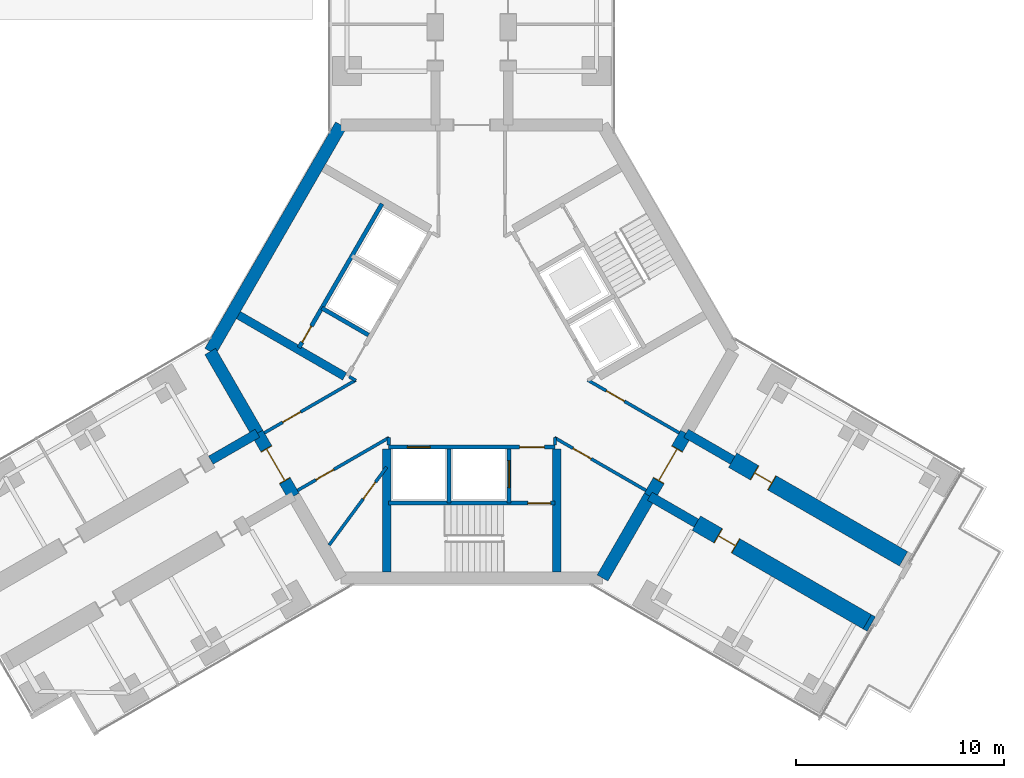
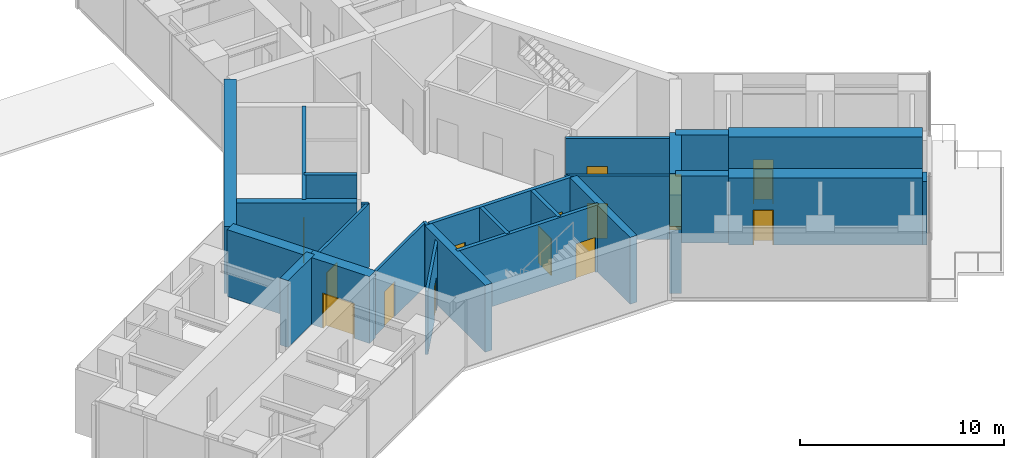
# One storey, part 18 of 22: 28 walls, 14 doors, 14 openings.
"""IFC4 building model written with IfcOpenShell, lengths in metres."""

from ifc_helpers import new_model, si_unit, direction, frame, frame_2d, origin, place, context, subcontext, project, spatial, rectangle, extrude, material, layer, layer_set, type_object, element, fill, save


model = new_model("IFC4")

# Units and contexts
model_context = context("Model", 3, precision=1e-05, world=origin(), true_north=direction((0.0, 1.0)))
body_context = subcontext(model_context, "Body", "Model", "MODEL_VIEW")
ifc_project = project(units=[si_unit("LENGTHUNIT", "METRE"), si_unit("AREAUNIT", "SQUARE_METRE"), si_unit("VOLUMEUNIT", "CUBIC_METRE"), si_unit("PLANEANGLEUNIT", "RADIAN"), si_unit("MASSUNIT", "GRAM", prefix="KILO")], contexts=[model_context])

# Site, building, storey
site_placement = place(None, origin())
site = spatial("IfcSite", under=ifc_project, at=site_placement, CompositionType="ELEMENT")
building_placement = place(site_placement, origin())
building = spatial("IfcBuilding", under=site, at=building_placement, Name="Upepo Twin Towers", CompositionType="ELEMENT")
storey_placement = place(building_placement, frame((0.0, 0.0, 97.5)))
storey = spatial("IfcBuildingStorey", under=building, at=storey_placement, Name="L23", CompositionType="ELEMENT", Elevation=97.5)

# Walls
ifc_material_1 = material(Name="Dense concrete blockwork", Category="masonry")
ifc_layer_1 = layer(ifc_material_1, 0.800048828125)
ifc_layer_set_1 = layer_set([ifc_layer_1], Name="Buttress closer 800, blockwork with fire-stopping to the curtain wall")
wall_type_1 = type_object("IfcWallType", Name="Buttress closer 800, blockwork with fire-stopping to the curtain wall", PredefinedType="PARTITIONING", material=ifc_layer_set_1)
wall_1_placement = place(storey_placement, frame((77.543701171875, -31.015625, 0.0), z_axis=(0.0, 0.0, 1.0), x_axis=(0.866366273901, -0.499409130319, 0.0)))
element("IfcWall", 1, at=wall_1_placement, inside=storey, type_object=wall_type_1, Name="T2 L23 wing C buttress closer R", PredefinedType="PARTITIONING", context=body_context, shape_type="SweptSolid", body=[
    extrude(rectangle(XDim=0.224853515625, YDim=0.800048828125, at=frame_2d((0.1123046875, 0.0))), origin(), (0.0, 0.0, 1.0), 3.800048828125),
])
ifc_material_2 = material(Name="Concrete C60/75", Category="concrete")
ifc_layer_2 = layer(ifc_material_2, 0.449951171875)
ifc_layer_set_2 = layer_set([ifc_layer_2], Name="Concrete C60/75")
wall_type_2 = type_object("IfcWallType", Name="Buttress wall 450 RC", PredefinedType="SHEAR", material=ifc_layer_set_2)
for number, where, z_axis, x_axis, name in (
    (2, (48.17822265625, -21.938720703125, 0.0), (0.0, 0.0, 1.0), (-0.866072649678, -0.499918158782, 0.0), "T2 wing B buttress wall R"),
    (3, (68.82177734375, -21.938720703125, 0.0), (0.0, 0.0, 1.0), (0.866072649678, -0.499918158782, 0.0), "T2 wing C buttress wall L"),
    (4, (67.07177734375, -24.9697265625, 0.0), (0.0, 0.0, 1.0), (0.866031863473, -0.499988811324, 0.0), "T2 wing C buttress wall R"),
):
    element("IfcWall", number, at=place(storey_placement, frame(where, z_axis=z_axis, x_axis=x_axis)), inside=storey, type_object=wall_type_2, Name=name, PredefinedType="SHEAR", context=body_context, shape_type="SweptSolid", body=[
        extrude(rectangle(XDim=2.591796875, YDim=0.449951171875, at=frame_2d((1.2958984375, 0.0))), origin(), (0.0, 0.0, 1.0), 4.0),
    ])

# Wall, opening, door
ifc_material_3 = material(Name="Concrete C60/75", Category="concrete")
ifc_layer_3 = layer(ifc_material_3, 0.800048828125)
ifc_layer_set_3 = layer_set([ifc_layer_3], Name="Concrete C60/75")
wall_type_3 = type_object("IfcWallType", Name="Buttress wall 800 RC", PredefinedType="SHEAR", material=ifc_layer_set_3)
wall_2_placement = place(storey_placement, frame((71.06640625, -23.234375, 0.0), z_axis=(0.0, 0.0, 1.0), x_axis=(0.86602681393, -0.499997557548, 0.0)))
wall_2 = element("IfcWall", 5, at=wall_2_placement, inside=storey, type_object=wall_type_3, Name="T2 wing C buttress wall L part 2", PredefinedType="SHEAR", context=body_context, shape_type="SweptSolid", body=[
    extrude(rectangle(XDim=9.5, YDim=0.800048828125, at=frame_2d((4.75, 0.0))), origin(), (0.0, 0.0, 1.0), 4.0),
])
opening_1_placement = place(wall_2_placement, frame((1.199951171875, 0.0, 0.0)))
opening_1 = element("IfcOpeningElement", 6, at=opening_1_placement, cuts=wall_2, Name="Opening D15", PredefinedType="OPENING", context=body_context, shape_type="SweptSolid", body=[
    extrude(rectangle(XDim=1.0, YDim=2.10009765625, at=frame_2d((0.5, 1.050048828125))), frame((0.0, 0.409912109375, 0.0), z_axis=(0.0, -1.0, 0.0), x_axis=(1.0, 0.0, 0.0)), (0.0, 0.0, 1.0), 0.820068359375),
])
ifc_material_4 = material(Name="Timber doorset", Category="wood")
door_type_1 = type_object("IfcDoorType", Name="Glazed door 1000 FD30", OperationType="SINGLE_SWING_LEFT", PredefinedType="DOOR", material=ifc_material_4)
door_1_placement = place(opening_1_placement, origin())
door_1 = element("IfcDoor", 7, at=door_1_placement, inside=storey, type_object=door_type_1, Name="T2 L23 faculty office door", OperationType="SINGLE_SWING_LEFT", OverallHeight=2.10009765625, OverallWidth=1.0, PredefinedType="DOOR", context=body_context, shape_type="SweptSolid", body=[
    extrude(rectangle(XDim=0.92, YDim=2.06009765625, at=frame_2d((0.5, 1.030029296875))), frame((0.0, 0.02490234375, 0.0), z_axis=(0.0, -1.0, 0.0), x_axis=(1.0, 0.0, 0.0)), (0.0, 0.0, 1.0), 0.050048828125),
    extrude(rectangle(XDim=0.04, YDim=2.10009765625, at=frame_2d((0.02001953125, 1.050048828125))), frame((0.0, 0.39990234375, 0.0), z_axis=(0.0, -1.0, 0.0), x_axis=(1.0, 0.0, 0.0)), (0.0, 0.0, 1.0), 0.799560546875),
    extrude(rectangle(XDim=0.04, YDim=2.10009765625, at=frame_2d((0.97998046875, 1.050048828125))), frame((0.0, 0.39990234375, 0.0), z_axis=(0.0, -1.0, 0.0), x_axis=(1.0, 0.0, 0.0)), (0.0, 0.0, 1.0), 0.799560546875),
    extrude(rectangle(XDim=0.92, YDim=0.04, at=frame_2d((0.5, 2.080078125))), frame((0.0, 0.39990234375, 0.0), z_axis=(0.0, -1.0, 0.0), x_axis=(1.0, 0.0, 0.0)), (0.0, 0.0, 1.0), 0.799560546875),
])
fill(opening_1, door_1)

wall_3_placement = place(storey_placement, frame((69.31640625, -26.265625, 0.0), z_axis=(0.0, 0.0, 1.0), x_axis=(0.86602681393, -0.499997557548, 0.0)))
wall_3 = element("IfcWall", 8, at=wall_3_placement, inside=storey, type_object=wall_type_3, Name="T2 wing C buttress wall R part 2", PredefinedType="SHEAR", context=body_context, shape_type="SweptSolid", body=[
    extrude(rectangle(XDim=9.5, YDim=0.800048828125, at=frame_2d((4.75, 0.0))), origin(), (0.0, 0.0, 1.0), 4.0),
])
opening_2_placement = place(wall_3_placement, frame((1.199951171875, 0.0, 0.0)))
opening_2 = element("IfcOpeningElement", 9, at=opening_2_placement, cuts=wall_3, Name="Opening D15", PredefinedType="OPENING", context=body_context, shape_type="SweptSolid", body=[
    extrude(rectangle(XDim=1.0, YDim=2.10009765625, at=frame_2d((0.5, 1.050048828125))), frame((0.0, 0.409912109375, 0.0), z_axis=(0.0, -1.0, 0.0), x_axis=(1.0, 0.0, 0.0)), (0.0, 0.0, 1.0), 0.820068359375),
])
door_2_placement = place(opening_2_placement, origin())
door_2 = element("IfcDoor", 10, at=door_2_placement, inside=storey, type_object=door_type_1, Name="T2 L23 faculty office door", OperationType="SINGLE_SWING_LEFT", OverallHeight=2.10009765625, OverallWidth=1.0, PredefinedType="DOOR", context=body_context, shape_type="SweptSolid", body=[
    extrude(rectangle(XDim=0.92, YDim=2.06009765625, at=frame_2d((0.5, 1.030029296875))), frame((0.0, 0.02490234375, 0.0), z_axis=(0.0, -1.0, 0.0), x_axis=(1.0, 0.0, 0.0)), (0.0, 0.0, 1.0), 0.050048828125),
    extrude(rectangle(XDim=0.04, YDim=2.10009765625, at=frame_2d((0.02001953125, 1.050048828125))), frame((0.0, 0.39990234375, 0.0), z_axis=(0.0, -1.0, 0.0), x_axis=(1.0, 0.0, 0.0)), (0.0, 0.0, 1.0), 0.799560546875),
    extrude(rectangle(XDim=0.04, YDim=2.10009765625, at=frame_2d((0.97998046875, 1.050048828125))), frame((0.0, 0.39990234375, 0.0), z_axis=(0.0, -1.0, 0.0), x_axis=(1.0, 0.0, 0.0)), (0.0, 0.0, 1.0), 0.799560546875),
    extrude(rectangle(XDim=0.92, YDim=0.04, at=frame_2d((0.5, 2.080078125))), frame((0.0, 0.39990234375, 0.0), z_axis=(0.0, -1.0, 0.0), x_axis=(1.0, 0.0, 0.0)), (0.0, 0.0, 1.0), 0.799560546875),
])
fill(opening_2, door_2)

# Walls
ifc_material_5 = material(Name="Concrete C60/75", Category="concrete")
ifc_layer_4 = layer(ifc_material_5, 0.60009765625)
ifc_layer_set_4 = layer_set([ifc_layer_4], Name="Concrete C60/75")
wall_type_4 = type_object("IfcWallType", Name="Core wall 600 RC", PredefinedType="SHEAR", material=ifc_layer_set_4)
wall_4_placement = place(storey_placement, frame((52.2021484375, -7.091552734375, 0.0), z_axis=(0.0, 0.0, 1.0), x_axis=(-0.500005998175, -0.866021940709, 0.0)))
element("IfcWall", 11, at=wall_4_placement, inside=storey, type_object=wall_type_4, Name="T2 core wall 060", PredefinedType="SHEAR", context=body_context, shape_type="SweptSolid", body=[
    extrude(rectangle(XDim=12.595947265625, YDim=0.60009765625, at=frame_2d((6.2978515625, 0.0))), origin(), (0.0, 0.0, 1.0), 4.0),
])
wall_5_placement = place(storey_placement, frame((45.904052734375, -18.0, 0.0), z_axis=(0.0, 0.0, 1.0), x_axis=(0.500024481964, -0.866011268655, 0.0)))
element("IfcWall", 12, at=wall_5_placement, inside=storey, type_object=wall_type_4, Name="T2 core wall 120 R", PredefinedType="SHEAR", context=body_context, shape_type="SweptSolid", body=[
    extrude(rectangle(XDim=4.548095703125, YDim=0.60009765625, at=frame_2d((2.27392578125, 0.0))), origin(), (0.0, 0.0, 1.0), 4.0),
])

# Wall, opening, door
wall_6_placement = place(storey_placement, frame((48.17822265625, -21.938720703125, 0.0), z_axis=(0.0, 0.0, 1.0), x_axis=(0.500010275428, -0.866019471182, 0.0)))
wall_6 = element("IfcWall", 13, at=wall_6_placement, inside=storey, type_object=wall_type_4, Name="T2 core wall 120", PredefinedType="SHEAR", context=body_context, shape_type="SweptSolid", body=[
    extrude(rectangle(XDim=3.5, YDim=0.60009765625, at=frame_2d((1.75, 0.0))), origin(), (0.0, 0.0, 1.0), 4.0),
])
opening_3_placement = place(wall_6_placement, frame((0.85009765625, 0.0, 0.0)))
opening_3 = element("IfcOpeningElement", 14, at=opening_3_placement, cuts=wall_6, Name="Opening D2", PredefinedType="OPENING", context=body_context, shape_type="SweptSolid", body=[
    extrude(rectangle(XDim=1.800048828125, YDim=2.10009765625, at=frame_2d((0.89990234375, 1.050048828125))), frame((0.0, 0.31005859375, 0.0), z_axis=(0.0, -1.0, 0.0), x_axis=(1.0, 0.0, 0.0)), (0.0, 0.0, 1.0), 0.6201171875),
])
ifc_material_6 = material(Name="Timber doorset", Category="wood")
door_type_2 = type_object("IfcDoorType", Name="Corridor double door 1800 FD60", OperationType="DOUBLE_DOOR_DOUBLE_SWING", PredefinedType="DOOR", material=ifc_material_6)
door_3_placement = place(opening_3_placement, origin())
door_3 = element("IfcDoor", 15, at=door_3_placement, inside=storey, type_object=door_type_2, Name="T2 L23 wing B corridor door", OperationType="DOUBLE_DOOR_DOUBLE_SWING", OverallHeight=2.10009765625, OverallWidth=1.800048828125, PredefinedType="DOOR", context=body_context, shape_type="SweptSolid", body=[
    extrude(rectangle(XDim=1.720048828125, YDim=2.06009765625, at=frame_2d((0.89990234375, 1.030029296875))), frame((0.0, 0.02490234375, 0.0), z_axis=(0.0, -1.0, 0.0), x_axis=(1.0, 0.0, 0.0)), (0.0, 0.0, 1.0), 0.050048828125),
    extrude(rectangle(XDim=0.04, YDim=2.10009765625, at=frame_2d((0.02001953125, 1.050048828125))), frame((0.0, 0.2998046875, 0.0), z_axis=(0.0, -1.0, 0.0), x_axis=(1.0, 0.0, 0.0)), (0.0, 0.0, 1.0), 0.599609375),
    extrude(rectangle(XDim=0.04, YDim=2.10009765625, at=frame_2d((1.780029296875, 1.050048828125))), frame((0.0, 0.2998046875, 0.0), z_axis=(0.0, -1.0, 0.0), x_axis=(1.0, 0.0, 0.0)), (0.0, 0.0, 1.0), 0.599609375),
    extrude(rectangle(XDim=1.720048828125, YDim=0.04, at=frame_2d((0.89990234375, 2.080078125))), frame((0.0, 0.2998046875, 0.0), z_axis=(0.0, -1.0, 0.0), x_axis=(1.0, 0.0, 0.0)), (0.0, 0.0, 1.0), 0.599609375),
])
fill(opening_3, door_3)

# Wall
wall_7_placement = place(storey_placement, frame((64.7978515625, -28.908447265625, 0.0), z_axis=(0.0, 0.0, 1.0), x_axis=(0.499984222037, 0.866034513004, 0.0)))
element("IfcWall", 16, at=wall_7_placement, inside=storey, type_object=wall_type_4, Name="T2 core wall 240 R", PredefinedType="SHEAR", context=body_context, shape_type="SweptSolid", body=[
    extrude(rectangle(XDim=4.548095703125, YDim=0.60009765625, at=frame_2d((2.27392578125, 0.0))), origin(), (0.0, 0.0, 1.0), 4.0),
])

# Wall, opening, door
wall_8_placement = place(storey_placement, frame((67.07177734375, -24.9697265625, 0.0), z_axis=(0.0, 0.0, 1.0), x_axis=(0.500010275428, 0.866019471182, 0.0)))
wall_8 = element("IfcWall", 17, at=wall_8_placement, inside=storey, type_object=wall_type_4, Name="T2 core wall 240", PredefinedType="SHEAR", context=body_context, shape_type="SweptSolid", body=[
    extrude(rectangle(XDim=3.5, YDim=0.60009765625, at=frame_2d((1.75, 0.0))), origin(), (0.0, 0.0, 1.0), 4.0),
])
opening_4_placement = place(wall_8_placement, frame((0.85009765625, 0.0, 0.0)))
opening_4 = element("IfcOpeningElement", 18, at=opening_4_placement, cuts=wall_8, Name="Opening D2", PredefinedType="OPENING", context=body_context, shape_type="SweptSolid", body=[
    extrude(rectangle(XDim=1.800048828125, YDim=2.10009765625, at=frame_2d((0.89990234375, 1.050048828125))), frame((0.0, 0.31005859375, 0.0), z_axis=(0.0, -1.0, 0.0), x_axis=(1.0, 0.0, 0.0)), (0.0, 0.0, 1.0), 0.6201171875),
])
door_4_placement = place(opening_4_placement, origin())
door_4 = element("IfcDoor", 19, at=door_4_placement, inside=storey, type_object=door_type_2, Name="T2 L23 wing C corridor door", OperationType="DOUBLE_DOOR_DOUBLE_SWING", OverallHeight=2.10009765625, OverallWidth=1.800048828125, PredefinedType="DOOR", context=body_context, shape_type="SweptSolid", body=[
    extrude(rectangle(XDim=1.720048828125, YDim=2.06009765625, at=frame_2d((0.89990234375, 1.030029296875))), frame((0.0, 0.02490234375, 0.0), z_axis=(0.0, -1.0, 0.0), x_axis=(1.0, 0.0, 0.0)), (0.0, 0.0, 1.0), 0.050048828125),
    extrude(rectangle(XDim=0.04, YDim=2.10009765625, at=frame_2d((0.02001953125, 1.050048828125))), frame((0.0, 0.2998046875, 0.0), z_axis=(0.0, -1.0, 0.0), x_axis=(1.0, 0.0, 0.0)), (0.0, 0.0, 1.0), 0.599609375),
    extrude(rectangle(XDim=0.04, YDim=2.10009765625, at=frame_2d((1.780029296875, 1.050048828125))), frame((0.0, 0.2998046875, 0.0), z_axis=(0.0, -1.0, 0.0), x_axis=(1.0, 0.0, 0.0)), (0.0, 0.0, 1.0), 0.599609375),
    extrude(rectangle(XDim=1.720048828125, YDim=0.04, at=frame_2d((0.89990234375, 2.080078125))), frame((0.0, 0.2998046875, 0.0), z_axis=(0.0, -1.0, 0.0), x_axis=(1.0, 0.0, 0.0)), (0.0, 0.0, 1.0), 0.599609375),
])
fill(opening_4, door_4)

# Wall
ifc_material_7 = material(Name="Concrete C40/50", Category="concrete")
ifc_layer_5 = layer(ifc_material_7, 0.199951171875)
ifc_layer_set_5 = layer_set([ifc_layer_5], Name="Concrete C40/50")
wall_type_5 = type_object("IfcWallType", Name="Shaft wall 200 RC", PredefinedType="SHEAR", material=ifc_layer_set_5)
wall_9_placement = place(storey_placement, frame((53.52978515625, -17.208740234375, 0.0), z_axis=(0.0, 0.0, 1.0), x_axis=(-0.866062058628, 0.499936506574, 0.0)))
element("IfcWall", 20, at=wall_9_placement, inside=storey, type_object=wall_type_5, Name="T2 core W60 lobby wall", PredefinedType="SHEAR", context=body_context, shape_type="SweptSolid", body=[
    extrude(rectangle(XDim=2.599853515625, YDim=0.199951171875, at=frame_2d((1.2998046875, 0.0))), origin(), (0.0, 0.0, 1.0), 4.0),
])

# Wall, opening, door
wall_10_placement = place(storey_placement, frame((54.177978515625, -10.885986328125, 0.0), z_axis=(0.0, 0.0, 1.0), x_axis=(-0.49999894854, -0.866026010844, 0.0)))
wall_10 = element("IfcWall", 21, at=wall_10_placement, inside=storey, type_object=wall_type_5, Name="T2 core W60 stair wall", PredefinedType="SHEAR", context=body_context, shape_type="SweptSolid", body=[
    extrude(rectangle(XDim=8.0, YDim=0.199951171875, at=frame_2d((4.0, 0.0))), origin(), (0.0, 0.0, 1.0), 4.0),
])
opening_5_placement = place(wall_10_placement, frame((6.800048828125, 0.0, 0.0)))
opening_5 = element("IfcOpeningElement", 22, at=opening_5_placement, cuts=wall_10, Name="Opening D9", PredefinedType="OPENING", context=body_context, shape_type="SweptSolid", body=[
    extrude(rectangle(XDim=0.89990234375, YDim=2.10009765625, at=frame_2d((0.449951171875, 1.050048828125))), frame((0.0, 0.10986328125, 0.0), z_axis=(0.0, -1.0, 0.0), x_axis=(1.0, 0.0, 0.0)), (0.0, 0.0, 1.0), 0.219970703125),
])
ifc_material_8 = material(Name="Timber doorset", Category="wood")
door_type_3 = type_object("IfcDoorType", Name="Riser door 900 FD60", OperationType="SINGLE_SWING_LEFT", PredefinedType="DOOR", material=ifc_material_8)
door_5_placement = place(opening_5_placement, origin())
door_5 = element("IfcDoor", 23, at=door_5_placement, inside=storey, type_object=door_type_3, Name="T2 L23 riser door", OperationType="SINGLE_SWING_RIGHT", OverallHeight=2.10009765625, OverallWidth=0.89990234375, PredefinedType="DOOR", context=body_context, shape_type="SweptSolid", body=[
    extrude(rectangle(XDim=0.89990234375, YDim=2.10009765625, at=frame_2d((0.449951171875, 1.050048828125))), frame((0.0, 0.02490234375, 0.0), z_axis=(0.0, -1.0, 0.0), x_axis=(1.0, 0.0, 0.0)), (0.0, 0.0, 1.0), 0.050048828125),
])
fill(opening_5, door_5)

# Wall, openings, doors
wall_11_placement = place(storey_placement, frame((54.5, -22.60009765625, 0.0), z_axis=(0.0, 0.0, 1.0), x_axis=(1.0, 0.0, 0.0)))
wall_11 = element("IfcWall", 24, at=wall_11_placement, inside=storey, type_object=wall_type_5, Name="T2 core W180 front wall", PredefinedType="SHEAR", context=body_context, shape_type="SweptSolid", body=[
    extrude(rectangle(XDim=8.0, YDim=0.199951171875, at=frame_2d((4.0, 0.0))), origin(), (0.0, 0.0, 1.0), 4.0),
])
opening_6_placement = place(wall_11_placement, frame((6.300048828125, 0.0, 0.0)))
opening_6 = element("IfcOpeningElement", 25, at=opening_6_placement, cuts=wall_11, Name="Opening D4", PredefinedType="OPENING", context=body_context, shape_type="SweptSolid", body=[
    extrude(rectangle(XDim=1.199951171875, YDim=2.10009765625, at=frame_2d((0.60009765625, 1.050048828125))), frame((0.0, 0.10986328125, 0.0), z_axis=(0.0, -1.0, 0.0), x_axis=(1.0, 0.0, 0.0)), (0.0, 0.0, 1.0), 0.219970703125),
])
opening_7_placement = place(wall_11_placement, frame((0.89990234375, 0.0, 0.0)))
opening_7 = element("IfcOpeningElement", 26, at=opening_7_placement, cuts=wall_11, Name="Opening LD1", PredefinedType="OPENING", context=body_context, shape_type="SweptSolid", body=[
    extrude(rectangle(XDim=1.10009765625, YDim=2.199951171875, at=frame_2d((0.550048828125, 1.10009765625))), frame((0.0, 0.10986328125, 0.0), z_axis=(0.0, -1.0, 0.0), x_axis=(1.0, 0.0, 0.0)), (0.0, 0.0, 1.0), 0.219970703125),
])
ifc_material_9 = material(Name="Steel doorset", Category="steel")
door_type_4 = type_object("IfcDoorType", Name="Lift landing door 1100", OperationType="DOUBLE_DOOR_SLIDING", PredefinedType="DOOR", material=ifc_material_9)
door_6_placement = place(opening_7_placement, origin())
door_6 = element("IfcDoor", 27, at=door_6_placement, inside=storey, type_object=door_type_4, Name="T2 L23 lift SV1 landing door", OperationType="DOUBLE_DOOR_SLIDING", OverallHeight=2.199951171875, OverallWidth=1.10009765625, PredefinedType="DOOR", context=body_context, shape_type="SweptSolid", body=[
    extrude(rectangle(XDim=1.10009765625, YDim=2.199951171875, at=frame_2d((0.550048828125, 1.10009765625))), frame((0.0, 0.02490234375, 0.0), z_axis=(0.0, -1.0, 0.0), x_axis=(1.0, 0.0, 0.0)), (0.0, 0.0, 1.0), 0.050048828125),
])
fill(opening_7, door_6)
ifc_material_10 = material(Name="Timber doorset", Category="wood")
door_type_5 = type_object("IfcDoorType", Name="Lobby door 1200 FD60", OperationType="SINGLE_SWING_LEFT", PredefinedType="DOOR", material=ifc_material_10)
door_7_placement = place(opening_6_placement, origin())
door_7 = element("IfcDoor", 28, at=door_7_placement, inside=storey, type_object=door_type_5, Name="T2 L23 W180 lobby door", OperationType="SINGLE_SWING_RIGHT", OverallHeight=2.10009765625, OverallWidth=1.199951171875, PredefinedType="DOOR", context=body_context, shape_type="SweptSolid", body=[
    extrude(rectangle(XDim=1.199951171875, YDim=2.10009765625, at=frame_2d((0.60009765625, 1.050048828125))), frame((0.0, 0.02490234375, 0.0), z_axis=(0.0, -1.0, 0.0), x_axis=(1.0, 0.0, 0.0)), (0.0, 0.0, 1.0), 0.050048828125),
])
fill(opening_6, door_7)

# Wall
wall_12_placement = place(storey_placement, frame((57.39990234375, -22.699951171875, 0.0), z_axis=(0.0, 0.0, 1.0), x_axis=(0.0, -1.0, 0.0)))
element("IfcWall", 29, at=wall_12_placement, inside=storey, type_object=wall_type_5, Name="T2 core W180 shaft divider", PredefinedType="SHEAR", context=body_context, shape_type="SweptSolid", body=[
    extrude(rectangle(XDim=2.60009765625, YDim=0.199951171875, at=frame_2d((1.300048828125, 0.0))), origin(), (0.0, 0.0, 1.0), 4.0),
])

# Wall, opening, door
wall_13_placement = place(storey_placement, frame((60.300048828125, -22.699951171875, 0.0), z_axis=(0.0, 0.0, 1.0), x_axis=(0.0, -1.0, 0.0)))
wall_13 = element("IfcWall", 30, at=wall_13_placement, inside=storey, type_object=wall_type_5, Name="T2 core W180 lobby wall", PredefinedType="SHEAR", context=body_context, shape_type="SweptSolid", body=[
    extrude(rectangle(XDim=2.60009765625, YDim=0.199951171875, at=frame_2d((1.300048828125, 0.0))), origin(), (0.0, 0.0, 1.0), 4.0),
])
opening_8_placement = place(wall_13_placement, frame((0.550048828125, 0.0, 0.0)))
opening_8 = element("IfcOpeningElement", 31, at=opening_8_placement, cuts=wall_13, Name="Opening LD2", PredefinedType="OPENING", context=body_context, shape_type="SweptSolid", body=[
    extrude(rectangle(XDim=1.300048828125, YDim=2.199951171875, at=frame_2d((0.64990234375, 1.10009765625))), frame((0.0, 0.10986328125, 0.0), z_axis=(0.0, -1.0, 0.0), x_axis=(1.0, 0.0, 0.0)), (0.0, 0.0, 1.0), 0.219970703125),
])
ifc_material_11 = material(Name="Steel doorset", Category="steel")
door_type_6 = type_object("IfcDoorType", Name="Firefighting lift landing door 1300", OperationType="DOUBLE_DOOR_SLIDING", PredefinedType="DOOR", material=ifc_material_11)
door_8_placement = place(opening_8_placement, origin())
door_8 = element("IfcDoor", 32, at=door_8_placement, inside=storey, type_object=door_type_6, Name="T2 L23 firefighting lift landing door", OperationType="DOUBLE_DOOR_SLIDING", OverallHeight=2.199951171875, OverallWidth=1.300048828125, PredefinedType="DOOR", context=body_context, shape_type="SweptSolid", body=[
    extrude(rectangle(XDim=1.300048828125, YDim=2.199951171875, at=frame_2d((0.64990234375, 1.10009765625))), frame((0.0, 0.02490234375, 0.0), z_axis=(0.0, -1.0, 0.0), x_axis=(1.0, 0.0, 0.0)), (0.0, 0.0, 1.0), 0.050048828125),
])
fill(opening_8, door_8)

wall_14_placement = place(storey_placement, frame((54.5, -25.300048828125, 0.0), z_axis=(0.0, 0.0, 1.0), x_axis=(1.0, 0.0, 0.0)))
wall_14 = element("IfcWall", 33, at=wall_14_placement, inside=storey, type_object=wall_type_5, Name="T2 core W180 stair wall", PredefinedType="SHEAR", context=body_context, shape_type="SweptSolid", body=[
    extrude(rectangle(XDim=8.0, YDim=0.199951171875, at=frame_2d((4.0, 0.0))), origin(), (0.0, 0.0, 1.0), 4.0),
])
opening_9_placement = place(wall_14_placement, frame((6.699951171875, 0.0, 0.0)))
opening_9 = element("IfcOpeningElement", 34, at=opening_9_placement, cuts=wall_14, Name="Opening D3", PredefinedType="OPENING", context=body_context, shape_type="SweptSolid", body=[
    extrude(rectangle(XDim=1.10009765625, YDim=2.10009765625, at=frame_2d((0.550048828125, 1.050048828125))), frame((0.0, 0.10986328125, 0.0), z_axis=(0.0, -1.0, 0.0), x_axis=(1.0, 0.0, 0.0)), (0.0, 0.0, 1.0), 0.219970703125),
])
ifc_material_12 = material(Name="Timber doorset", Category="wood")
door_type_7 = type_object("IfcDoorType", Name="Stair door 1100 FD60", OperationType="SINGLE_SWING_LEFT", PredefinedType="DOOR", material=ifc_material_12)
door_9_placement = place(opening_9_placement, origin())
door_9 = element("IfcDoor", 35, at=door_9_placement, inside=storey, type_object=door_type_7, Name="T2 L23 stair door", OperationType="SINGLE_SWING_RIGHT", OverallHeight=2.10009765625, OverallWidth=1.10009765625, PredefinedType="DOOR", context=body_context, shape_type="SweptSolid", body=[
    extrude(rectangle(XDim=1.10009765625, YDim=2.10009765625, at=frame_2d((0.550048828125, 1.050048828125))), frame((0.0, 0.02490234375, 0.0), z_axis=(0.0, -1.0, 0.0), x_axis=(1.0, 0.0, 0.0)), (0.0, 0.0, 1.0), 0.050048828125),
])
fill(opening_9, door_9)

# Walls
ifc_material_13 = material(Name="Concrete C40/50", Category="concrete")
ifc_layer_6 = layer(ifc_material_13, 0.39990234375)
ifc_layer_set_6 = layer_set([ifc_layer_6], Name="Concrete C40/50")
wall_type_6 = type_object("IfcWallType", Name="Shaft wall 400 RC", PredefinedType="SHEAR", material=ifc_layer_set_6)
wall_15_placement = place(storey_placement, frame((52.379638671875, -19.20068359375, 0.0), z_axis=(0.0, 0.0, 1.0), x_axis=(-0.866027317282, 0.49999668571, 0.0)))
element("IfcWall", 36, at=wall_15_placement, inside=storey, type_object=wall_type_6, Name="T2 core W60 side wall N", PredefinedType="SHEAR", context=body_context, shape_type="SweptSolid", body=[
    extrude(rectangle(XDim=5.908203125, YDim=0.39990234375, at=frame_2d((2.9541015625, 0.0))), origin(), (0.0, 0.0, 1.0), 4.0),
])
for number, where, z_axis, x_axis, name in (
    (37, (62.60009765625, -22.699951171875, 0.0), (0.0, 0.0, 1.0), (0.0, -1.0, 0.0), "T2 core W180 side wall N"),
    (38, (54.39990234375, -22.699951171875, 0.0), (0.0, 0.0, 1.0), (0.0, -1.0, 0.0), "T2 core W180 side wall S"),
):
    element("IfcWall", number, at=place(storey_placement, frame(where, z_axis=z_axis, x_axis=x_axis)), inside=storey, type_object=wall_type_6, Name=name, PredefinedType="SHEAR", context=body_context, shape_type="SweptSolid", body=[
        extrude(rectangle(XDim=5.908447265625, YDim=0.39990234375, at=frame_2d((2.9541015625, 0.0))), origin(), (0.0, 0.0, 1.0), 4.0),
    ])
ifc_material_14 = material(Name="Gypsum board on steel studs", Category="steel")
ifc_layer_7 = layer(ifc_material_14, 0.14990234375)
ifc_layer_set_7 = layer_set([ifc_layer_7], Name="Teaching partition 150 acoustic")
wall_type_7 = type_object("IfcWallType", Name="Teaching partition 150 acoustic", PredefinedType="PARTITIONING", material=ifc_layer_set_7)
wall_16_placement = place(storey_placement, frame((54.5, -22.510009765625, 0.0), z_axis=(0.0, 0.0, 1.0), x_axis=(0.0, 1.0, 0.0)))
element("IfcWall", 39, at=wall_16_placement, inside=storey, type_object=wall_type_7, Name="T2 core room partition 1", PredefinedType="PARTITIONING", context=body_context, shape_type="SweptSolid", body=[
    extrude(rectangle(XDim=0.373046875, YDim=0.14990234375, at=frame_2d((0.1865234375, 0.0))), origin(), (0.0, 0.0, 1.0), 3.800048828125),
])

# Wall, opening, door
wall_17_placement = place(storey_placement, frame((54.517333984375, -22.14697265625, 0.0), z_axis=(0.0, 0.0, 1.0), x_axis=(-0.866029209911, -0.499993407537, 0.0)))
wall_17 = element("IfcWall", 40, at=wall_17_placement, inside=storey, type_object=wall_type_7, Name="T2 core room partition 2", PredefinedType="PARTITIONING", context=body_context, shape_type="SweptSolid", body=[
    extrude(rectangle(XDim=5.095703125, YDim=0.14990234375, at=frame_2d((2.5478515625, 0.0))), origin(), (0.0, 0.0, 1.0), 3.800048828125),
])
opening_10_placement = place(wall_17_placement, frame((3.072998046875, 0.0, 0.0)))
opening_10 = element("IfcOpeningElement", 41, at=opening_10_placement, cuts=wall_17, Name="Opening D1", PredefinedType="OPENING", context=body_context, shape_type="SweptSolid", body=[
    extrude(rectangle(XDim=1.0, YDim=2.10009765625, at=frame_2d((0.5, 1.050048828125))), frame((0.0, 0.0849609375, 0.0), z_axis=(0.0, -1.0, 0.0), x_axis=(1.0, 0.0, 0.0)), (0.0, 0.0, 1.0), 0.169921875),
])
ifc_material_15 = material(Name="Timber doorset", Category="wood")
door_type_8 = type_object("IfcDoorType", Name="Room door 1000 FD30", OperationType="SINGLE_SWING_LEFT", PredefinedType="DOOR", material=ifc_material_15)
door_10_placement = place(opening_10_placement, origin())
door_10 = element("IfcDoor", 42, at=door_10_placement, inside=storey, type_object=door_type_8, Name="T2 L23 core room door K2", OperationType="SINGLE_SWING_RIGHT", OverallHeight=2.10009765625, OverallWidth=1.0, PredefinedType="DOOR", context=body_context, shape_type="SweptSolid", body=[
    extrude(rectangle(XDim=1.0, YDim=2.10009765625, at=frame_2d((0.5, 1.050048828125))), frame((0.0, 0.02490234375, 0.0), z_axis=(0.0, -1.0, 0.0), x_axis=(1.0, 0.0, 0.0)), (0.0, 0.0, 1.0), 0.050048828125),
])
fill(opening_10, door_10)

wall_18_placement = place(storey_placement, frame((48.50439453125, -21.923583984375, 0.0), z_axis=(0.0, 0.0, 1.0), x_axis=(0.865996484538, 0.500050086259, 0.0)))
wall_18 = element("IfcWall", 43, at=wall_18_placement, inside=storey, type_object=wall_type_7, Name="T2 core room partition 3", PredefinedType="PARTITIONING", context=body_context, shape_type="SweptSolid", body=[
    extrude(rectangle(XDim=5.095703125, YDim=0.14990234375, at=frame_2d((2.5478515625, 0.0))), origin(), (0.0, 0.0, 1.0), 3.800048828125),
])
opening_11_placement = place(wall_18_placement, frame((1.022705078125, 0.0, 0.0)))
opening_11 = element("IfcOpeningElement", 44, at=opening_11_placement, cuts=wall_18, Name="Opening D1", PredefinedType="OPENING", context=body_context, shape_type="SweptSolid", body=[
    extrude(rectangle(XDim=1.0, YDim=2.10009765625, at=frame_2d((0.5, 1.050048828125))), frame((0.0, 0.0849609375, 0.0), z_axis=(0.0, -1.0, 0.0), x_axis=(1.0, 0.0, 0.0)), (0.0, 0.0, 1.0), 0.169921875),
])
door_11_placement = place(opening_11_placement, origin())
door_11 = element("IfcDoor", 45, at=door_11_placement, inside=storey, type_object=door_type_8, Name="T2 L23 core room door K1", OperationType="SINGLE_SWING_LEFT", OverallHeight=2.10009765625, OverallWidth=1.0, PredefinedType="DOOR", context=body_context, shape_type="SweptSolid", body=[
    extrude(rectangle(XDim=1.0, YDim=2.10009765625, at=frame_2d((0.5, 1.050048828125))), frame((0.0, 0.02490234375, 0.0), z_axis=(0.0, -1.0, 0.0), x_axis=(1.0, 0.0, 0.0)), (0.0, 0.0, 1.0), 0.050048828125),
])
fill(opening_11, door_11)

# Wall
wall_19_placement = place(storey_placement, frame((52.917236328125, -19.3955078125, 0.0), z_axis=(0.0, 0.0, 1.0), x_axis=(-0.865978465477, 0.500081290722, 0.0)))
element("IfcWall", 46, at=wall_19_placement, inside=storey, type_object=wall_type_7, Name="T2 core room partition 4", PredefinedType="PARTITIONING", context=body_context, shape_type="SweptSolid", body=[
    extrude(rectangle(XDim=0.373046875, YDim=0.14990234375, at=frame_2d((0.1865234375, 0.0))), origin(), (0.0, 0.0, 1.0), 3.800048828125),
])

# Wall, opening, door
wall_20_placement = place(storey_placement, frame((64.082763671875, -19.37548828125, 0.0), z_axis=(0.0, 0.0, 1.0), x_axis=(0.865996484538, -0.500050086259, 0.0)))
wall_20 = element("IfcWall", 47, at=wall_20_placement, inside=storey, type_object=wall_type_7, Name="T2 core room partition 10", PredefinedType="PARTITIONING", context=body_context, shape_type="SweptSolid", body=[
    extrude(rectangle(XDim=5.095703125, YDim=0.14990234375, at=frame_2d((2.5478515625, 0.0))), origin(), (0.0, 0.0, 1.0), 3.800048828125),
])
opening_12_placement = place(wall_20_placement, frame((1.04296875, 0.0, 0.0)))
opening_12 = element("IfcOpeningElement", 48, at=opening_12_placement, cuts=wall_20, Name="Opening D1", PredefinedType="OPENING", context=body_context, shape_type="SweptSolid", body=[
    extrude(rectangle(XDim=1.0, YDim=2.10009765625, at=frame_2d((0.5, 1.050048828125))), frame((0.0, 0.0849609375, 0.0), z_axis=(0.0, -1.0, 0.0), x_axis=(1.0, 0.0, 0.0)), (0.0, 0.0, 1.0), 0.169921875),
])
door_12_placement = place(opening_12_placement, origin())
door_12 = element("IfcDoor", 49, at=door_12_placement, inside=storey, type_object=door_type_8, Name="T2 L23 core room door K5", OperationType="SINGLE_SWING_LEFT", OverallHeight=2.10009765625, OverallWidth=1.0, PredefinedType="DOOR", context=body_context, shape_type="SweptSolid", body=[
    extrude(rectangle(XDim=1.0, YDim=2.10009765625, at=frame_2d((0.5, 1.050048828125))), frame((0.0, 0.02490234375, 0.0), z_axis=(0.0, -1.0, 0.0), x_axis=(1.0, 0.0, 0.0)), (0.0, 0.0, 1.0), 0.050048828125),
])
fill(opening_12, door_12)

wall_21_placement = place(storey_placement, frame((66.895751953125, -24.69482421875, 0.0), z_axis=(0.0, 0.0, 1.0), x_axis=(-0.866029209911, 0.499993407537, 0.0)))
wall_21 = element("IfcWall", 50, at=wall_21_placement, inside=storey, type_object=wall_type_7, Name="T2 core room partition 11", PredefinedType="PARTITIONING", context=body_context, shape_type="SweptSolid", body=[
    extrude(rectangle(XDim=5.095703125, YDim=0.14990234375, at=frame_2d((2.5478515625, 0.0))), origin(), (0.0, 0.0, 1.0), 3.800048828125),
])
opening_13_placement = place(wall_21_placement, frame((3.052978515625, 0.0, 0.0)))
opening_13 = element("IfcOpeningElement", 51, at=opening_13_placement, cuts=wall_21, Name="Opening D1", PredefinedType="OPENING", context=body_context, shape_type="SweptSolid", body=[
    extrude(rectangle(XDim=1.0, YDim=2.10009765625, at=frame_2d((0.5, 1.050048828125))), frame((0.0, 0.0849609375, 0.0), z_axis=(0.0, -1.0, 0.0), x_axis=(1.0, 0.0, 0.0)), (0.0, 0.0, 1.0), 0.169921875),
])
door_13_placement = place(opening_13_placement, origin())
door_13 = element("IfcDoor", 52, at=door_13_placement, inside=storey, type_object=door_type_8, Name="T2 L23 core room door K4", OperationType="SINGLE_SWING_RIGHT", OverallHeight=2.10009765625, OverallWidth=1.0, PredefinedType="DOOR", context=body_context, shape_type="SweptSolid", body=[
    extrude(rectangle(XDim=1.0, YDim=2.10009765625, at=frame_2d((0.5, 1.050048828125))), frame((0.0, 0.02490234375, 0.0), z_axis=(0.0, -1.0, 0.0), x_axis=(1.0, 0.0, 0.0)), (0.0, 0.0, 1.0), 0.050048828125),
])
fill(opening_13, door_13)

# Wall
wall_22_placement = place(storey_placement, frame((62.5, -22.136962890625, 0.0), z_axis=(0.0, 0.0, 1.0), x_axis=(0.0, -1.0, 0.0)))
element("IfcWall", 53, at=wall_22_placement, inside=storey, type_object=wall_type_7, Name="T2 core room partition 12", PredefinedType="PARTITIONING", context=body_context, shape_type="SweptSolid", body=[
    extrude(rectangle(XDim=0.373046875, YDim=0.14990234375, at=frame_2d((0.1865234375, 0.0))), origin(), (0.0, 0.0, 1.0), 3.800048828125),
])

# Wall, opening, door
wall_23_placement = place(storey_placement, frame((54.39990234375, -23.565673828125, 0.0), z_axis=(0.0, 0.0, 1.0), x_axis=(-0.59307051543, -0.805150522404, 0.0)))
wall_23 = element("IfcWall", 54, at=wall_23_placement, inside=storey, type_object=wall_type_7, Name="T2 core room partition 13", PredefinedType="PARTITIONING", context=body_context, shape_type="SweptSolid", body=[
    extrude(rectangle(XDim=4.665771484375, YDim=0.14990234375, at=frame_2d((2.3330078125, 0.0))), origin(), (0.0, 0.0, 1.0), 3.800048828125),
])
opening_14_placement = place(wall_23_placement, frame((0.899658203125, 0.0, 0.0)))
opening_14 = element("IfcOpeningElement", 55, at=opening_14_placement, cuts=wall_23, Name="Opening D1", PredefinedType="OPENING", context=body_context, shape_type="SweptSolid", body=[
    extrude(rectangle(XDim=1.0, YDim=2.10009765625, at=frame_2d((0.5, 1.050048828125))), frame((0.0, 0.0849609375, 0.0), z_axis=(0.0, -1.0, 0.0), x_axis=(1.0, 0.0, 0.0)), (0.0, 0.0, 1.0), 0.169921875),
])
door_14_placement = place(opening_14_placement, origin())
door_14 = element("IfcDoor", 56, at=door_14_placement, inside=storey, type_object=door_type_8, Name="T2 L23 core room door K3", OperationType="SINGLE_SWING_LEFT", OverallHeight=2.10009765625, OverallWidth=1.0, PredefinedType="DOOR", context=body_context, shape_type="SweptSolid", body=[
    extrude(rectangle(XDim=1.0, YDim=2.10009765625, at=frame_2d((0.5, 1.050048828125))), frame((0.0, 0.02490234375, 0.0), z_axis=(0.0, -1.0, 0.0), x_axis=(1.0, 0.0, 0.0)), (0.0, 0.0, 1.0), 0.050048828125),
])
fill(opening_14, door_14)

save(model, "model.ifc")
